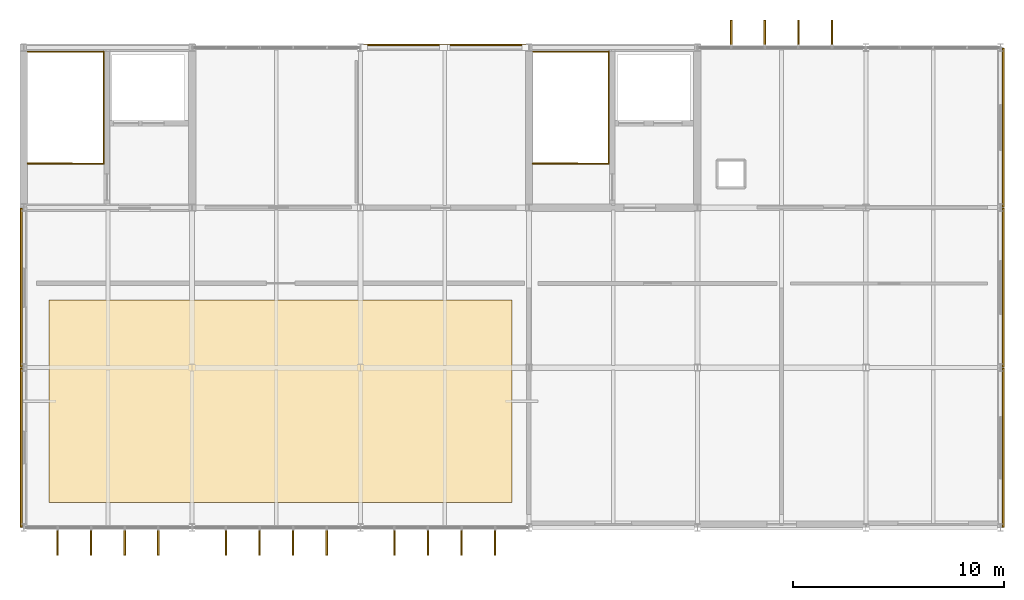
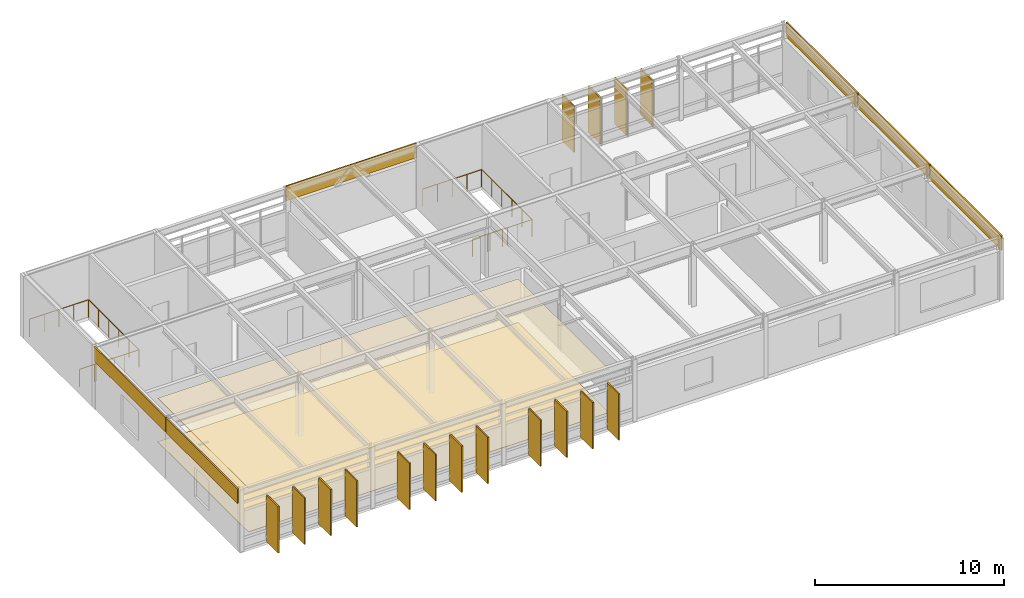
# One storey, part 17 of 17: 16 shading devices, 8 coverings, 6 railings.
"""IFC4 building model written with IfcOpenShell, lengths in metres."""

from ifc_helpers import new_model, si_unit, direction, frame, origin, origin_2d, place, context, subcontext, project, spatial, polyline, rectangle, circle, outline, extrude, material, layer, layer_set, type_object, element, save


model = new_model("IFC4")

# Units and contexts
model_context = context("Model", 3, precision=1e-05, world=origin(), true_north=direction((0.0, 1.0)))
body_context = subcontext(model_context, "Body", "Model", "MODEL_VIEW")
ifc_project = project(units=[si_unit("LENGTHUNIT", "METRE"), si_unit("AREAUNIT", "SQUARE_METRE"), si_unit("VOLUMEUNIT", "CUBIC_METRE"), si_unit("PLANEANGLEUNIT", "RADIAN"), si_unit("MASSUNIT", "GRAM", prefix="KILO")], contexts=[model_context])

# Site, building, storey
site_placement = place(None, origin())
site = spatial("IfcSite", under=ifc_project, at=site_placement, CompositionType="ELEMENT")
building_placement = place(site_placement, origin())
building = spatial("IfcBuilding", under=site, at=building_placement, Name="Zulena Civic Courthouse", CompositionType="ELEMENT")
storey_placement = place(building_placement, frame((0.0, 0.0, 42.0)))
storey = spatial("IfcBuildingStorey", under=building, at=storey_placement, Name="L09", CompositionType="ELEMENT", Elevation=42.0)

# Covering
ifc_material_1 = material(Name="Perforated acoustic mineral-fibre ceiling tile", Category="concrete")
ifc_layer_1 = layer(ifc_material_1, 0.02490234375)
ifc_layer_set_1 = layer_set([ifc_layer_1], Name="Perforated acoustic mineral-fibre ceiling tile")
covering_type_1 = type_object("IfcCoveringType", Name="AcousticCeiling_25", PredefinedType="CEILING", material=ifc_layer_set_1)
covering_1_placement = place(storey_placement, frame((0.0, 0.0, 2.820068359375)))
element("IfcCovering", 1, at=covering_1_placement, inside=storey, type_object=covering_type_1, Name="ceil:L09:365", PredefinedType="CEILING", context=body_context, shape_type="SweptSolid", body=[
    extrude(outline(polyline([(21.199951171875, 1.199951171875), (43.199951171875, 1.199951171875), (43.199951171875, 10.800048828125), (21.199951171875, 10.800048828125), (21.199951171875, 1.199951171875)])), origin(), (0.0, 0.0, 1.0), 0.02490234375),
])

# Shading devices
ifc_material_2 = material(Name="Gold anodised architectural aluminium AA6063-T6", Category="aluminium")
shading_device_type = type_object("IfcShadingDeviceType", Name="GoldSolarFin_300", PredefinedType="USERDEFINED", material=ifc_material_2)
for number, where, z_axis, x_axis, name in (
    (2, (53.607177734375, 23.485107421875, 0.0498046875), (0.0, 0.0, 1.0), (0.0, 1.0, 0.0), "fin:V2:L09:1:4:1"),
    (3, (55.202392578125, 23.485107421875, 0.0498046875), (0.0, 0.0, 1.0), (0.0, 1.0, 0.0), "fin:V2:L09:1:4:2"),
    (4, (56.797607421875, 23.485107421875, 0.0498046875), (0.0, 0.0, 1.0), (0.0, 1.0, 0.0), "fin:V2:L09:1:4:3"),
    (5, (58.392822265625, 23.485107421875, 0.0498046875), (0.0, 0.0, 1.0), (0.0, 1.0, 0.0), "fin:V2:L09:1:4:4"),
    (6, (42.392822265625, -0.68505859375, 0.0498046875), (0.0, 0.0, 1.0), (0.0, -1.0, 0.0), "fin:V2:L09:3:3:1"),
    (7, (40.797607421875, -0.68505859375, 0.0498046875), (0.0, 0.0, 1.0), (0.0, -1.0, 0.0), "fin:V2:L09:3:3:2"),
    (8, (39.202392578125, -0.68505859375, 0.0498046875), (0.0, 0.0, 1.0), (0.0, -1.0, 0.0), "fin:V2:L09:3:3:3"),
    (9, (37.607177734375, -0.68505859375, 0.0498046875), (0.0, 0.0, 1.0), (0.0, -1.0, 0.0), "fin:V2:L09:3:3:4"),
    (10, (34.392822265625, -0.68505859375, 0.0498046875), (0.0, 0.0, 1.0), (0.0, -1.0, 0.0), "fin:V2:L09:3:4:1"),
    (11, (32.797607421875, -0.68505859375, 0.0498046875), (0.0, 0.0, 1.0), (0.0, -1.0, 0.0), "fin:V2:L09:3:4:2"),
    (12, (31.202392578125, -0.68505859375, 0.0498046875), (0.0, 0.0, 1.0), (0.0, -1.0, 0.0), "fin:V2:L09:3:4:3"),
    (13, (29.607177734375, -0.68505859375, 0.0498046875), (0.0, 0.0, 1.0), (0.0, -1.0, 0.0), "fin:V2:L09:3:4:4"),
    (14, (26.392822265625, -0.68505859375, 0.0498046875), (0.0, 0.0, 1.0), (0.0, -1.0, 0.0), "fin:V2:L09:3:5:1"),
    (15, (24.797607421875, -0.68505859375, 0.0498046875), (0.0, 0.0, 1.0), (0.0, -1.0, 0.0), "fin:V2:L09:3:5:2"),
    (16, (23.202392578125, -0.68505859375, 0.0498046875), (0.0, 0.0, 1.0), (0.0, -1.0, 0.0), "fin:V2:L09:3:5:3"),
    (17, (21.607177734375, -0.68505859375, 0.0498046875), (0.0, 0.0, 1.0), (0.0, -1.0, 0.0), "fin:V2:L09:3:5:4"),
):
    element("IfcShadingDevice", number, at=place(storey_placement, frame(where, z_axis=z_axis, x_axis=x_axis)), inside=storey, type_object=shading_device_type, Name=name, ObjectType="FIN", PredefinedType="USERDEFINED", context=body_context, shape_type="SweptSolid", body=[
        extrude(rectangle(XDim=1.25, YDim=0.080078125, at=origin_2d()), origin(), (0.0, 0.0, 1.0), 2.989990234375),
    ])

# Railings
ifc_material_3 = material(Name="Brushed architectural steel ASTM A36", Category="steel")
railing_type = type_object("IfcRailingType", Name="InteriorGuardrail_1150", PredefinedType="GUARDRAIL", material=ifc_material_3)
railing_1_placement = place(storey_placement, frame((20.199951171875, 22.610107421875, 0.0)))
element("IfcRailing", 18, at=railing_1_placement, inside=storey, type_object=railing_type, Name="gr:wellN:K2A:L08", PredefinedType="GUARDRAIL", context=body_context, shape_type="SweptSolid", body=[
    extrude(circle(Radius=0.02392578125, at=origin_2d()), frame((0.00390625, 0.0, 1.1259765625), z_axis=(1.0, 0.0, 0.0), x_axis=(0.0, 1.0, 0.0)), (0.0, 0.0, 1.0), 3.592041015625),
    extrude(circle(Radius=0.02099609375, at=origin_2d()), origin(), (0.0, 0.0, 1.0), 1.097900390625),
    extrude(circle(Radius=0.02099609375, at=origin_2d()), frame((0.89990234375, 0.0, 0.0)), (0.0, 0.0, 1.0), 1.097900390625),
    extrude(circle(Radius=0.02099609375, at=origin_2d()), frame((1.800048828125, 0.0, 0.0)), (0.0, 0.0, 1.0), 1.097900390625),
    extrude(circle(Radius=0.02099609375, at=origin_2d()), frame((2.7001953125, 0.0, 0.0)), (0.0, 0.0, 1.0), 1.097900390625),
    extrude(circle(Radius=0.02099609375, at=origin_2d()), frame((3.60009765625, 0.0, 0.0)), (0.0, 0.0, 1.0), 1.097900390625),
])
railing_2_placement = place(storey_placement, frame((23.800048828125, 22.6201171875, 0.0)))
element("IfcRailing", 19, at=railing_2_placement, inside=storey, type_object=railing_type, Name="gr:topwell:K2A:L08", PredefinedType="GUARDRAIL", context=body_context, shape_type="SweptSolid", body=[
    extrude(circle(Radius=0.02392578125, at=origin_2d()), frame((0.0, -0.00390625, 1.1259765625), z_axis=(0.0, -1.0, 0.0), x_axis=(1.0, 0.0, 0.0)), (0.0, 0.0, 1.0), 5.33203125),
    extrude(circle(Radius=0.02392578125, at=origin_2d()), frame((-0.00390625, -5.340087890625, 1.1259765625), z_axis=(-1.0, 0.0, 0.0), x_axis=(0.0, -1.0, 0.0)), (0.0, 0.0, 1.0), 3.612060546875),
    extrude(circle(Radius=0.02099609375, at=origin_2d()), origin(), (0.0, 0.0, 1.0), 1.097900390625),
    extrude(circle(Radius=0.02099609375, at=origin_2d()), frame((0.0, -1.068115234375, 0.0)), (0.0, 0.0, 1.0), 1.097900390625),
    extrude(circle(Radius=0.02099609375, at=origin_2d()), frame((0.0, -2.135986328125, 0.0)), (0.0, 0.0, 1.0), 1.097900390625),
    extrude(circle(Radius=0.02099609375, at=origin_2d()), frame((0.0, -3.2041015625, 0.0)), (0.0, 0.0, 1.0), 1.097900390625),
    extrude(circle(Radius=0.02099609375, at=origin_2d()), frame((0.0, -4.27197265625, 0.0)), (0.0, 0.0, 1.0), 1.097900390625),
    extrude(circle(Radius=0.02099609375, at=origin_2d()), frame((0.0, -5.340087890625, 0.0)), (0.0, 0.0, 1.0), 1.097900390625),
    extrude(circle(Radius=0.02099609375, at=origin_2d()), frame((-0.905029296875, -5.340087890625, 0.0)), (0.0, 0.0, 1.0), 1.097900390625),
    extrude(circle(Radius=0.02099609375, at=origin_2d()), frame((-1.81005859375, -5.340087890625, 0.0)), (0.0, 0.0, 1.0), 1.097900390625),
    extrude(circle(Radius=0.02099609375, at=origin_2d()), frame((-2.715087890625, -5.340087890625, 0.0)), (0.0, 0.0, 1.0), 1.097900390625),
    extrude(circle(Radius=0.02099609375, at=origin_2d()), frame((-3.6201171875, -5.340087890625, 0.0)), (0.0, 0.0, 1.0), 1.097900390625),
])
railing_3_placement = place(storey_placement, frame((20.179931640625, 17.300048828125, 0.0)))
element("IfcRailing", 20, at=railing_3_placement, inside=storey, type_object=railing_type, Name="gr:wells:K2A:L09", PredefinedType="GUARDRAIL", context=body_context, shape_type="SweptSolid", body=[
    extrude(circle(Radius=0.02392578125, at=origin_2d()), frame((0.00390625, 0.0, 1.1259765625), z_axis=(1.0, 0.0, 0.0), x_axis=(0.0, 1.0, 0.0)), (0.0, 0.0, 1.0), 2.112060546875),
    extrude(circle(Radius=0.02099609375, at=origin_2d()), origin(), (0.0, 0.0, 1.0), 1.097900390625),
    extrude(circle(Radius=0.02099609375, at=origin_2d()), frame((1.06005859375, 0.0, 0.0)), (0.0, 0.0, 1.0), 1.097900390625),
    extrude(circle(Radius=0.02099609375, at=origin_2d()), frame((2.1201171875, 0.0, 0.0)), (0.0, 0.0, 1.0), 1.097900390625),
])
railing_4_placement = place(storey_placement, frame((44.199951171875, 22.610107421875, 0.0)))
element("IfcRailing", 21, at=railing_4_placement, inside=storey, type_object=railing_type, Name="gr:wellN:K2B:L08", PredefinedType="GUARDRAIL", context=body_context, shape_type="SweptSolid", body=[
    extrude(circle(Radius=0.02392578125, at=origin_2d()), frame((0.00390625, 0.0, 1.1259765625), z_axis=(1.0, 0.0, 0.0), x_axis=(0.0, 1.0, 0.0)), (0.0, 0.0, 1.0), 3.592041015625),
    extrude(circle(Radius=0.02099609375, at=origin_2d()), origin(), (0.0, 0.0, 1.0), 1.097900390625),
    extrude(circle(Radius=0.02099609375, at=origin_2d()), frame((0.89990234375, 0.0, 0.0)), (0.0, 0.0, 1.0), 1.097900390625),
    extrude(circle(Radius=0.02099609375, at=origin_2d()), frame((1.800048828125, 0.0, 0.0)), (0.0, 0.0, 1.0), 1.097900390625),
    extrude(circle(Radius=0.02099609375, at=origin_2d()), frame((2.7001953125, 0.0, 0.0)), (0.0, 0.0, 1.0), 1.097900390625),
    extrude(circle(Radius=0.02099609375, at=origin_2d()), frame((3.60009765625, 0.0, 0.0)), (0.0, 0.0, 1.0), 1.097900390625),
])
railing_5_placement = place(storey_placement, frame((47.800048828125, 22.6201171875, 0.0)))
element("IfcRailing", 22, at=railing_5_placement, inside=storey, type_object=railing_type, Name="gr:topwell:K2B:L08", PredefinedType="GUARDRAIL", context=body_context, shape_type="SweptSolid", body=[
    extrude(circle(Radius=0.02392578125, at=origin_2d()), frame((0.0, -0.00390625, 1.1259765625), z_axis=(0.0, -1.0, 0.0), x_axis=(1.0, 0.0, 0.0)), (0.0, 0.0, 1.0), 5.33203125),
    extrude(circle(Radius=0.02392578125, at=origin_2d()), frame((-0.00390625, -5.340087890625, 1.1259765625), z_axis=(-1.0, 0.0, 0.0), x_axis=(0.0, -1.0, 0.0)), (0.0, 0.0, 1.0), 3.612060546875),
    extrude(circle(Radius=0.02099609375, at=origin_2d()), origin(), (0.0, 0.0, 1.0), 1.097900390625),
    extrude(circle(Radius=0.02099609375, at=origin_2d()), frame((0.0, -1.068115234375, 0.0)), (0.0, 0.0, 1.0), 1.097900390625),
    extrude(circle(Radius=0.02099609375, at=origin_2d()), frame((0.0, -2.135986328125, 0.0)), (0.0, 0.0, 1.0), 1.097900390625),
    extrude(circle(Radius=0.02099609375, at=origin_2d()), frame((0.0, -3.2041015625, 0.0)), (0.0, 0.0, 1.0), 1.097900390625),
    extrude(circle(Radius=0.02099609375, at=origin_2d()), frame((0.0, -4.27197265625, 0.0)), (0.0, 0.0, 1.0), 1.097900390625),
    extrude(circle(Radius=0.02099609375, at=origin_2d()), frame((0.0, -5.340087890625, 0.0)), (0.0, 0.0, 1.0), 1.097900390625),
    extrude(circle(Radius=0.02099609375, at=origin_2d()), frame((-0.905029296875, -5.340087890625, 0.0)), (0.0, 0.0, 1.0), 1.097900390625),
    extrude(circle(Radius=0.02099609375, at=origin_2d()), frame((-1.81005859375, -5.340087890625, 0.0)), (0.0, 0.0, 1.0), 1.097900390625),
    extrude(circle(Radius=0.02099609375, at=origin_2d()), frame((-2.715087890625, -5.340087890625, 0.0)), (0.0, 0.0, 1.0), 1.097900390625),
    extrude(circle(Radius=0.02099609375, at=origin_2d()), frame((-3.6201171875, -5.340087890625, 0.0)), (0.0, 0.0, 1.0), 1.097900390625),
])
railing_6_placement = place(storey_placement, frame((44.179931640625, 17.300048828125, 0.0)))
element("IfcRailing", 23, at=railing_6_placement, inside=storey, type_object=railing_type, Name="gr:wells:K2B:L09", PredefinedType="GUARDRAIL", context=body_context, shape_type="SweptSolid", body=[
    extrude(circle(Radius=0.02392578125, at=origin_2d()), frame((0.00390625, 0.0, 1.1259765625), z_axis=(1.0, 0.0, 0.0), x_axis=(0.0, 1.0, 0.0)), (0.0, 0.0, 1.0), 2.112060546875),
    extrude(circle(Radius=0.02099609375, at=origin_2d()), origin(), (0.0, 0.0, 1.0), 1.097900390625),
    extrude(circle(Radius=0.02099609375, at=origin_2d()), frame((1.06005859375, 0.0, 0.0)), (0.0, 0.0, 1.0), 1.097900390625),
    extrude(circle(Radius=0.02099609375, at=origin_2d()), frame((2.1201171875, 0.0, 0.0)), (0.0, 0.0, 1.0), 1.097900390625),
])

# Coverings
ifc_material_4 = material(Name="White architectural precast concrete C40/50", Category="concrete")
ifc_layer_2 = layer(ifc_material_4, 0.0849609375)
ifc_layer_set_2 = layer_set([ifc_layer_2], Name="White architectural precast concrete C40/50")
covering_type_2 = type_object("IfcCoveringType", Name="PrecastSpandrelCladding_85", PredefinedType="CLADDING", material=ifc_layer_set_2)
for number, where, z_axis, x_axis, name in (
    (24, (19.8798828125, 3.800048828125, 3.06005859375), (0.0, 0.0, 1.0), (0.0, 1.0, 0.0), "clad:sp:V2:L09:0:0"),
    (25, (19.8798828125, 11.39990234375, 3.06005859375), (0.0, 0.0, 1.0), (0.0, 1.0, 0.0), "clad:sp:V2:L09:0:1"),
):
    element("IfcCovering", number, at=place(storey_placement, frame(where, z_axis=z_axis, x_axis=x_axis)), inside=storey, type_object=covering_type_2, Name=name, PredefinedType="CLADDING", context=body_context, shape_type="SweptSolid", body=[
        extrude(rectangle(XDim=7.56005859375, YDim=0.0849609375, at=origin_2d()), origin(), (0.0, 0.0, 1.0), 0.93994140625),
    ])
covering_2_placement = place(storey_placement, frame((40.0, 22.919921875, 3.06005859375), z_axis=(0.0, 0.0, 1.0), x_axis=(1.0, 0.0, 0.0)))
element("IfcCovering", 26, at=covering_2_placement, inside=storey, type_object=covering_type_2, Name="clad:sp:V2:L09:1:2", PredefinedType="CLADDING", context=body_context, shape_type="SweptSolid", body=[
    extrude(rectangle(XDim=7.9599609375, YDim=0.0849609375, at=origin_2d()), origin(), (0.0, 0.0, 1.0), 0.93994140625),
])
for number, where, z_axis, x_axis, name in (
    (27, (66.52001953125, 19.0, 3.06005859375), (0.0, 0.0, 1.0), (0.0, -1.0, 0.0), "clad:sp:V2:L09:2:0"),
    (28, (66.52001953125, 11.39990234375, 3.06005859375), (0.0, 0.0, 1.0), (0.0, -1.0, 0.0), "clad:sp:V2:L09:2:1"),
    (29, (66.52001953125, 3.800048828125, 3.06005859375), (0.0, 0.0, 1.0), (0.0, -1.0, 0.0), "clad:sp:V2:L09:2:2"),
):
    element("IfcCovering", number, at=place(storey_placement, frame(where, z_axis=z_axis, x_axis=x_axis)), inside=storey, type_object=covering_type_2, Name=name, PredefinedType="CLADDING", context=body_context, shape_type="SweptSolid", body=[
        extrude(rectangle(XDim=7.56005859375, YDim=0.0849609375, at=origin_2d()), origin(), (0.0, 0.0, 1.0), 0.93994140625),
    ])
ifc_material_5 = material(Name="Honed travertine stone flooring", Category="masonry")
ifc_layer_3 = layer(ifc_material_5, 0.030029296875)
ifc_layer_set_3 = layer_set([ifc_layer_3], Name="Honed travertine stone flooring")
covering_type_3 = type_object("IfcCoveringType", Name="TravertineFlooring_30", PredefinedType="FLOORING", material=ifc_layer_set_3)
covering_3_placement = place(storey_placement, origin())
element("IfcCovering", 30, at=covering_3_placement, inside=storey, type_object=covering_type_3, Name="floor:L09:365", PredefinedType="FLOORING", context=body_context, shape_type="SweptSolid", body=[
    extrude(outline(polyline([(21.199951171875, 1.199951171875), (43.199951171875, 1.199951171875), (43.199951171875, 10.800048828125), (21.199951171875, 10.800048828125), (21.199951171875, 1.199951171875)])), origin(), (0.0, 0.0, 1.0), 0.030029296875),
])

save(model, "model.ifc")
